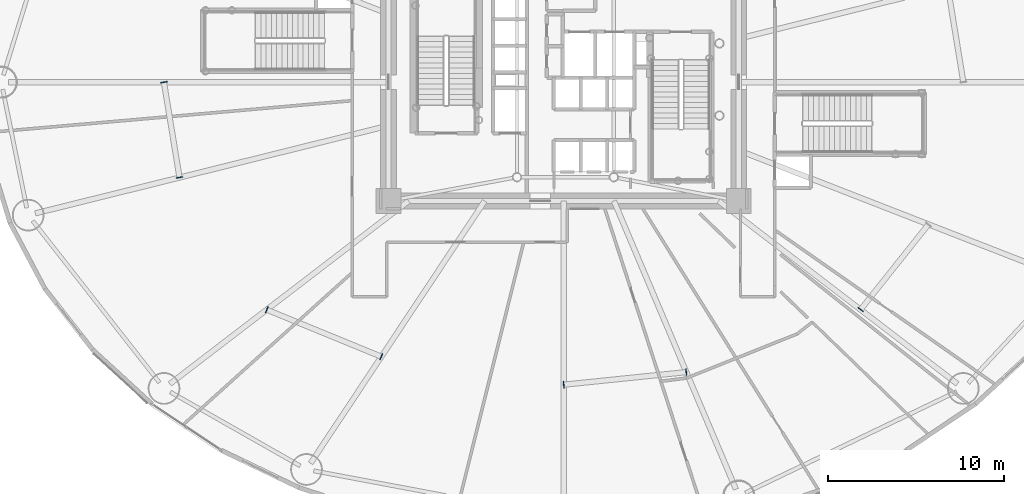
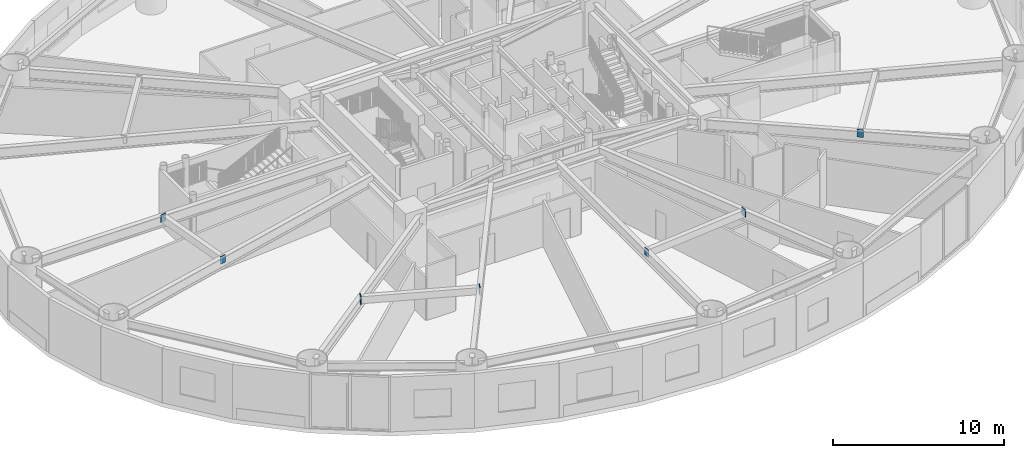
# One storey, part 13 of 31: 7 plates.
"""IFC4 building model written with IfcOpenShell, lengths in metres."""

from ifc_helpers import new_model, si_unit, direction, frame, origin, origin_2d, place, context, subcontext, project, spatial, rectangle, extrude, source, transform, mapped, material, layer, layer_set, type_object, element, save


model = new_model("IFC4")

# Units and contexts
model_context = context("Model", 3, precision=1e-05, world=origin(), true_north=direction((0.0, 1.0)))
body_context = subcontext(model_context, "Body", "Model", "MODEL_VIEW")
ifc_project = project(units=[si_unit("LENGTHUNIT", "METRE"), si_unit("AREAUNIT", "SQUARE_METRE"), si_unit("VOLUMEUNIT", "CUBIC_METRE"), si_unit("PLANEANGLEUNIT", "RADIAN"), si_unit("MASSUNIT", "GRAM", prefix="KILO")], contexts=[model_context])

# Site, building, storey
site_placement = place(None, origin())
site = spatial("IfcSite", under=ifc_project, at=site_placement, CompositionType="ELEMENT")
building_placement = place(site_placement, origin())
building = spatial("IfcBuilding", under=site, at=building_placement, Name="Linh Dai School and Residence Tower", CompositionType="ELEMENT")
storey_placement = place(building_placement, frame((0.0, 0.0, 6.0)))
storey = spatial("IfcBuildingStorey", under=building, at=storey_placement, Name="L01", CompositionType="ELEMENT", Elevation=6.0)

# Plates
ifc_material = material(Name="Structural Steel S355JR", Category="steel")
ifc_layer = layer(ifc_material, 0.0400390625)
ifc_layer_set = layer_set([ifc_layer], Name="Structural Steel S355JR")
plate_type = type_object("IfcPlateType", Name="PLT-GP1", PredefinedType="USERDEFINED", material=ifc_layer_set)
shared_shape = source(origin(), body_context, "Body", "SweptSolid", [
    extrude(rectangle(XDim=0.0400390625, YDim=0.3798828125, at=origin_2d()), origin(), (0.0, 0.0, 1.0), 0.5400390625),
])
for number, where, z_axis, x_axis, name in (
    (1, (13.290771484375, 26.9951171875, 3.3798828125), (0.0, 0.0, 1.0), (0.161521734074, -0.986869155168, 0.0), "L01 Secondary Beam End Plate 05A"),
    (2, (14.17626953125, 21.5849609375, 3.3798828125), (0.0, 0.0, 1.0), (0.161521734074, -0.986869155168, 0.0), "L01 Secondary Beam End Plate 05B"),
    (3, (19.13623046875, 14.07080078125, 3.3798828125), (0.0, 0.0, 1.0), (0.925232467292, -0.379400687228, 0.0), "L01 Secondary Beam End Plate 06A"),
    (4, (25.639892578125, 11.40380859375, 3.3798828125), (0.0, 0.0, 1.0), (0.925232467292, -0.379400687228, 0.0), "L01 Secondary Beam End Plate 06B"),
    (5, (36.0048828125, 9.810546875, 3.3798828125), (0.0, 0.0, 1.0), (0.994771705806, 0.102123715795, 0.0), "L01 Secondary Beam End Plate 07A"),
    (6, (42.96630859375, 10.525146484375, 3.3798828125), (0.0, 0.0, 1.0), (0.994771705806, 0.102123715795, 0.0), "L01 Secondary Beam End Plate 07B"),
    (7, (52.871337890625, 14.076416015625, 3.3798828125), (0.0, 0.0, 1.0), (0.622932610294, 0.78227550328, 0.0), "L01 Secondary Beam End Plate 08A"),
):
    element("IfcPlate", number, at=place(storey_placement, frame(where, z_axis=z_axis, x_axis=x_axis)), inside=storey, type_object=plate_type, Name=name, ObjectType="GUSSET PLATE", PredefinedType="USERDEFINED", context=body_context, shape_type="MappedRepresentation", body=[
        mapped(shared_shape, transform((0.0, 0.0, 0.0), x_axis=(1.0, 0.0, 0.0), y_axis=(0.0, 1.0, 0.0), z_axis=(0.0, 0.0, 1.0), scale=1.0)),
    ])

save(model, "model.ifc")
